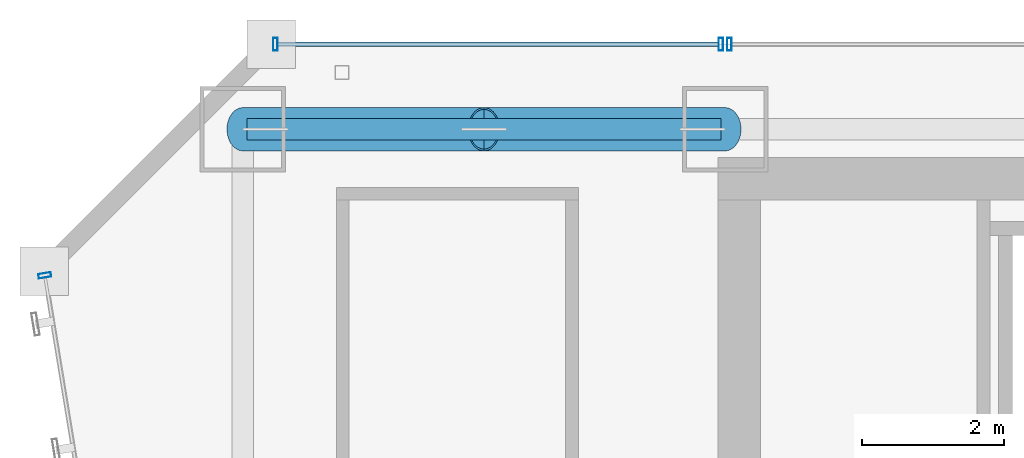
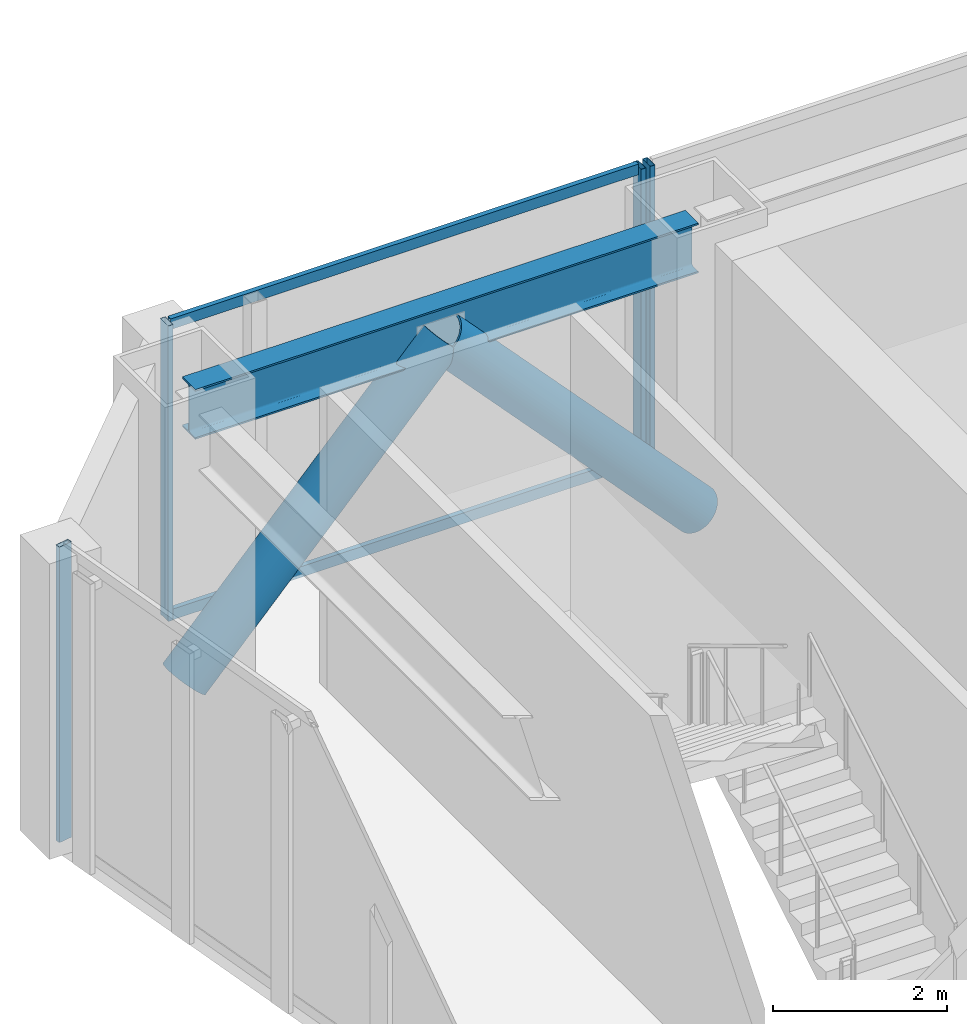
# One storey, part 26 of 47: 8 members, 1 beam, 3 elements without a shape of their own.
"""IFC4 building model written with IfcOpenShell, lengths in metres."""

from ifc_helpers import new_model, si_unit, direction, frame, origin, origin_2d, place, context, subcontext, project, spatial, hollow_rectangle, hollow_circle, i_section, extrude, material, material_profile, profile_set, type_object, element, aggregate, save


model = new_model("IFC4")

# Units and contexts
model_context = context("Model", 3, precision=1e-05, world=origin(), true_north=direction((0.0, 1.0)))
body_context = subcontext(model_context, "Body", "Model", "MODEL_VIEW")
ifc_project = project(units=[si_unit("LENGTHUNIT", "METRE"), si_unit("AREAUNIT", "SQUARE_METRE"), si_unit("VOLUMEUNIT", "CUBIC_METRE"), si_unit("PLANEANGLEUNIT", "RADIAN"), si_unit("MASSUNIT", "GRAM", prefix="KILO")], contexts=[model_context])

# Site, building, storey
site_placement = place(None, origin())
site = spatial("IfcSite", under=ifc_project, at=site_placement, CompositionType="ELEMENT")
building_placement = place(site_placement, origin())
building = spatial("IfcBuilding", under=site, at=building_placement, Name="Saevonmaru Cultural Tower", CompositionType="ELEMENT")
storey_placement = place(building_placement, frame((0.0, 0.0, 42.800048828125)))
storey = spatial("IfcBuildingStorey", under=building, at=storey_placement, Name="L08", CompositionType="ELEMENT", Elevation=42.800048828125)

# Beam
ifc_material_1 = material(Name="Steel SM355", Category="steel")
ifc_material_profile_1 = material_profile(ifc_material_1, i_section(OverallWidth=0.300048828125, OverallDepth=0.699951171875, WebThickness=0.012939453125, FlangeThickness=0.02392578125, FilletRadius=0.02587890625, at=origin_2d()), Name="H-700x300x13x24")
ifc_profile_set_1 = profile_set([ifc_material_profile_1], Name="Steel SM355")
beam_type = type_object("IfcBeamType", Name="BM-SP-H700", PredefinedType="SPANDREL", material=ifc_profile_set_1)
beam_placement = place(storey_placement, frame((6.860107421875, 54.800048828125, 3.800048828125), z_axis=(1.0, 0.0, 0.0), x_axis=(0.0, 1.0, 0.0)))
element("IfcBeam", 1, at=beam_placement, inside=storey, type_object=beam_type, Name="L08 North Spine Girder 1", PredefinedType="SPANDREL", context=body_context, shape_type="SweptSolid", body=[
    extrude(i_section(OverallWidth=0.300048828125, OverallDepth=0.699951171875, WebThickness=0.012939453125, FlangeThickness=0.02392578125, FilletRadius=0.02587890625, at=origin_2d()), origin(), (0.0, 0.0, 1.0), 6.679931640625),
])

# Members
ifc_material_2 = material(Name="Steel HSA600 (600 MPa)", Category="steel")
ifc_material_profile_2 = material_profile(ifc_material_2, hollow_circle(Radius=0.3046875, WallThickness=0.02490234375, at=origin_2d()), Name="CHS-609.6x25")
ifc_profile_set_2 = profile_set([ifc_material_profile_2], Name="Steel HSA600 (600 MPa)")
member_type_1 = type_object("IfcMemberType", Name="MB-PBR-CHS610", PredefinedType="BRACE", material=ifc_profile_set_2)
member_1_placement = place(storey_placement, frame((6.800048828125, 54.800048828125, 0.02001953125), z_axis=(0.681602937137, 0.0, 0.73172223971), x_axis=(0.0, 1.0, 0.0)))
element("IfcMember", 2, at=member_1_placement, inside=storey, type_object=member_type_1, Name="L08 Perimeter Braced-Tube Diagonal WN1", PredefinedType="BRACE", context=body_context, shape_type="SweptSolid", body=[
    extrude(hollow_circle(Radius=0.3046875, WallThickness=0.02490234375, at=origin_2d()), origin(), (0.0, 0.0, 1.0), 4.988037109375),
])
member_2_placement = place(storey_placement, frame((13.60009765625, 54.800048828125, 0.02001953125), z_axis=(-0.681629141635, 0.0, 0.731697829212), x_axis=(0.0, -1.0, 0.0)))
element("IfcMember", 3, at=member_2_placement, inside=storey, type_object=member_type_1, Name="L08 Perimeter Braced-Tube Diagonal WN2", PredefinedType="BRACE", context=body_context, shape_type="SweptSolid", body=[
    extrude(hollow_circle(Radius=0.3046875, WallThickness=0.02490234375, at=origin_2d()), origin(), (0.0, 0.0, 1.0), 4.98828125),
])

# Curtain wall, member
ifc_material_3 = material(Name="Satin Bronze Anodised Aluminium", Category="aluminium")
curtain_wall_type = type_object("IfcCurtainWallType", Name="CW-TYP-A", PredefinedType="NOTDEFINED", material=ifc_material_3)
curtain_wall_1_placement = place(storey_placement, origin())
curtain_wall_1 = element("IfcCurtainWall", 4, at=curtain_wall_1_placement, inside=storey, type_object=curtain_wall_type, Name="L08 North Spine Unitised Curtain Wall E10B", PredefinedType="NOTDEFINED")
ifc_material_profile_3 = material_profile(ifc_material_3, hollow_rectangle(XDim=0.06494140625, YDim=0.179931640625, WallThickness=0.00390625, at=origin_2d()), Name="ALU-MULL-180x65x4")
ifc_profile_set_3 = profile_set([ifc_material_profile_3], Name="Satin Bronze Anodised Aluminium")
member_type_2 = type_object("IfcMemberType", Name="ML-CW-180x65", PredefinedType="MULLION", material=ifc_profile_set_3)
member_3_placement = place(storey_placement, frame((13.659912109375, 56.0, 0.0), z_axis=(0.0, 0.0, 1.0), x_axis=(-1.0, 0.0, 0.0)))
member_3 = element("IfcMember", 5, at=member_3_placement, type_object=member_type_2, Name="CW-TW-L08-E10B mullion 4", PredefinedType="MULLION", context=body_context, shape_type="SweptSolid", body=[
    extrude(hollow_rectangle(XDim=0.06494140625, YDim=0.179931640625, WallThickness=0.00390625, at=origin_2d()), origin(), (0.0, 0.0, 1.0), 4.14990234375),
])
aggregate(curtain_wall_1, [member_3])

# Curtain wall, members
curtain_wall_2_placement = place(storey_placement, origin())
curtain_wall_2 = element("IfcCurtainWall", 6, at=curtain_wall_2_placement, inside=storey, type_object=curtain_wall_type, Name="L08 West Braced Bay Spandrel Curtain Wall E10C", PredefinedType="NOTDEFINED")
member_4_placement = place(storey_placement, frame((13.5400390625, 56.0, 0.0), z_axis=(0.0, 0.0, 1.0), x_axis=(-1.0, 0.0, 0.0)))
member_4 = element("IfcMember", 7, at=member_4_placement, type_object=member_type_2, Name="CW-TW-L08-E10C mullion 1", PredefinedType="MULLION", context=body_context, shape_type="SweptSolid", body=[
    extrude(hollow_rectangle(XDim=0.06494140625, YDim=0.179931640625, WallThickness=0.00390625, at=origin_2d()), origin(), (0.0, 0.0, 1.0), 4.14990234375),
])
member_5_placement = place(storey_placement, frame((7.260009765625, 56.0, 0.0), z_axis=(0.0, 0.0, 1.0), x_axis=(-1.0, 0.0, 0.0)))
member_5 = element("IfcMember", 8, at=member_5_placement, type_object=member_type_2, Name="CW-TW-L08-E10C mullion 2", PredefinedType="MULLION", context=body_context, shape_type="SweptSolid", body=[
    extrude(hollow_rectangle(XDim=0.06494140625, YDim=0.179931640625, WallThickness=0.00390625, at=origin_2d()), origin(), (0.0, 0.0, 1.0), 4.14990234375),
])

# Curtain wall, member
curtain_wall_3_placement = place(storey_placement, origin())
curtain_wall_3 = element("IfcCurtainWall", 9, at=curtain_wall_3_placement, inside=storey, type_object=curtain_wall_type, Name="L08 Unitised Curtain Wall E12", PredefinedType="NOTDEFINED")
member_6_placement = place(storey_placement, frame((4.009765625, 52.74072265625, 0.0), z_axis=(0.0, 0.0, 1.0), x_axis=(0.161708868641, -0.986838508472, 0.0)))
member_6 = element("IfcMember", 10, at=member_6_placement, type_object=member_type_2, Name="CW-TW-L08-E12 mullion 1", PredefinedType="MULLION", context=body_context, shape_type="SweptSolid", body=[
    extrude(hollow_rectangle(XDim=0.06494140625, YDim=0.179931640625, WallThickness=0.00390625, at=origin_2d()), origin(), (0.0, 0.0, 1.0), 4.14990234375),
])
aggregate(curtain_wall_3, [member_6])

# Member
ifc_material_profile_4 = material_profile(ifc_material_3, hollow_rectangle(XDim=0.06494140625, YDim=0.14990234375, WallThickness=0.00390625, at=origin_2d()), Name="ALU-TRAN-150x65x4")
ifc_profile_set_4 = profile_set([ifc_material_profile_4], Name="Satin Bronze Anodised Aluminium")
member_type_3 = type_object("IfcMemberType", Name="TR-CW-150x65", PredefinedType="USERDEFINED", material=ifc_profile_set_4)
member_7_placement = place(storey_placement, frame((13.507568359375, 56.0, 0.032470703125), z_axis=(-1.0, 0.0, 0.0), x_axis=(0.0, -1.0, 0.0)))
member_7 = element("IfcMember", 11, at=member_7_placement, type_object=member_type_3, Name="CW-TW-L08-E10C transom 1.1", ObjectType="TRANSOM", PredefinedType="USERDEFINED", context=body_context, shape_type="SweptSolid", body=[
    extrude(hollow_rectangle(XDim=0.06494140625, YDim=0.14990234375, WallThickness=0.00390625, at=origin_2d()), origin(), (0.0, 0.0, 1.0), 6.215087890625),
])

member_8_placement = place(storey_placement, frame((13.507568359375, 56.0, 4.117431640625), z_axis=(-1.0, 0.0, 0.0), x_axis=(0.0, -1.0, 0.0)))
member_8 = element("IfcMember", 12, at=member_8_placement, type_object=member_type_3, Name="CW-TW-L08-E10C transom 1.2", ObjectType="TRANSOM", PredefinedType="USERDEFINED", context=body_context, shape_type="SweptSolid", body=[
    extrude(hollow_rectangle(XDim=0.06494140625, YDim=0.14990234375, WallThickness=0.00390625, at=origin_2d()), origin(), (0.0, 0.0, 1.0), 6.215087890625),
])

aggregate(curtain_wall_2, [member_4, member_5, member_7, member_8])

save(model, "model.ifc")
